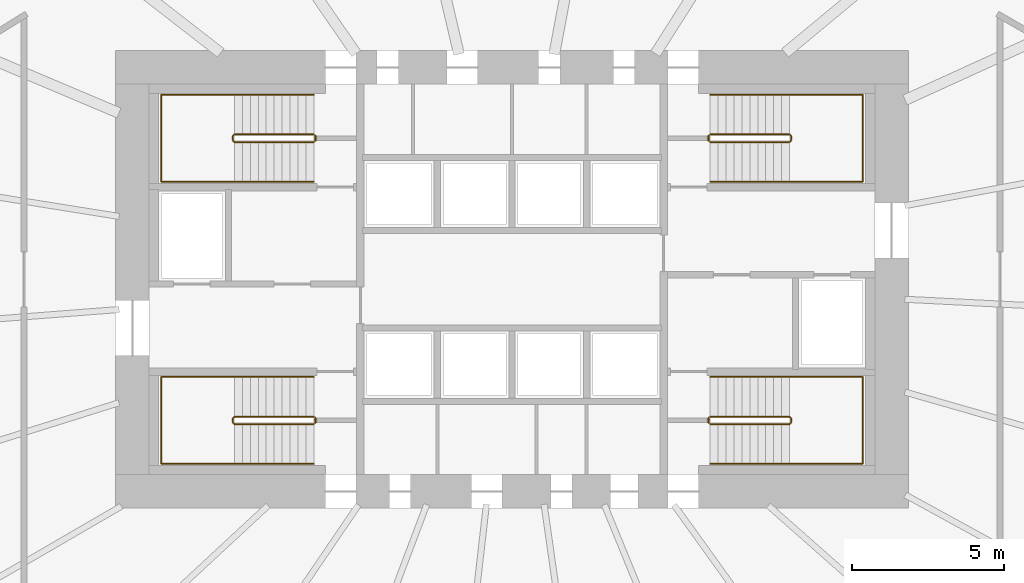
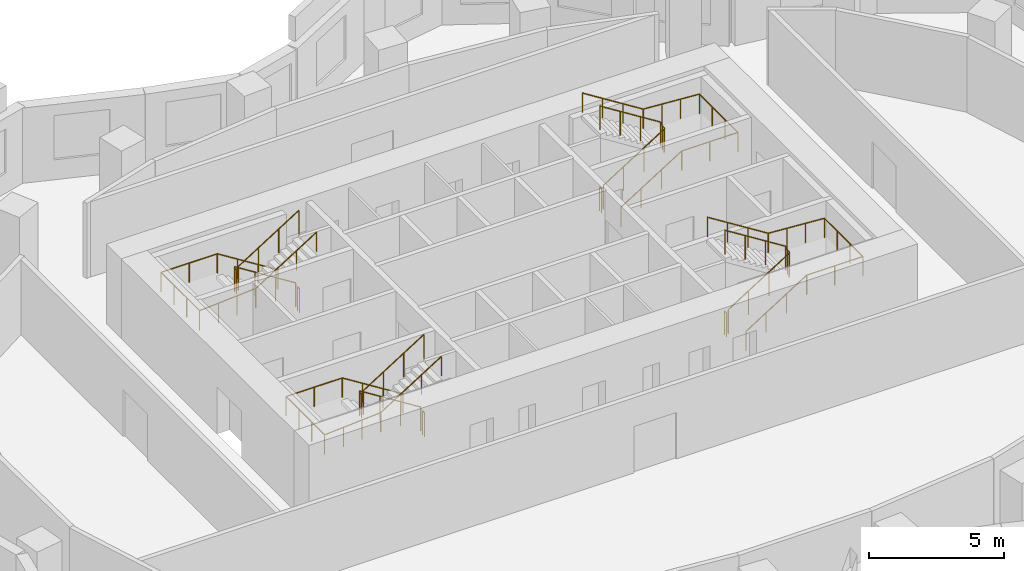
# One storey, part 8 of 8: 12 railings.
"""IFC4 building model written with IfcOpenShell, lengths in metres."""

from ifc_helpers import new_model, si_unit, direction, frame, origin, origin_2d, place, context, subcontext, project, spatial, circle, extrude, material, type_object, element, save


model = new_model("IFC4")

# Units and contexts
model_context = context("Model", 3, precision=1e-05, world=origin(), true_north=direction((0.0, 1.0)))
body_context = subcontext(model_context, "Body", "Model", "MODEL_VIEW")
ifc_project = project(units=[si_unit("LENGTHUNIT", "METRE"), si_unit("AREAUNIT", "SQUARE_METRE"), si_unit("VOLUMEUNIT", "CUBIC_METRE"), si_unit("PLANEANGLEUNIT", "RADIAN"), si_unit("MASSUNIT", "GRAM", prefix="KILO")], contexts=[model_context])

# Site, building, storey
site_placement = place(None, origin())
site = spatial("IfcSite", under=ifc_project, at=site_placement, CompositionType="ELEMENT")
building_placement = place(site_placement, origin())
building = spatial("IfcBuilding", under=site, at=building_placement, Name="Rubra Terraces Tower", CompositionType="ELEMENT")
storey_placement = place(building_placement, frame((0.0, 0.0, 106.800048828125)))
storey = spatial("IfcBuildingStorey", under=building, at=storey_placement, Name="L25", CompositionType="ELEMENT", Elevation=106.800048828125)

# Railings
ifc_material = material(Name="Stainless steel", Category="steel")
railing_type_1 = type_object("IfcRailingType", Name="Core stair guard 1100", PredefinedType="GUARDRAIL", material=ifc_material)
railing_1_placement = place(storey_placement, frame((-6.5, 0.0, 0.16357421875)))
element("IfcRailing", 1, at=railing_1_placement, inside=storey, type_object=railing_type_1, Name="L25 stair S1 guard 1", PredefinedType="GUARDRAIL", context=body_context, shape_type="SweptSolid", body=[
    extrude(circle(Radius=0.02392578125, at=origin_2d()), frame((0.0, 0.0, 1.076171875), z_axis=(-0.846324394277, 0.0, 0.532667832379), x_axis=(0.0, -1.0, 0.0)), (0.0, 0.0, 1.0), 3.072265625),
    extrude(circle(Radius=0.02392578125, at=origin_2d()), frame((-2.60009765625, 0.0, 2.71240234375), z_axis=(-0.705375805398, -0.708833529934, 0.0), x_axis=(0.708833529934, -0.705375805398, 0.0)), (0.0, 0.0, 1.0), 0.070556640625),
    extrude(circle(Radius=0.02392578125, at=origin_2d()), frame((-2.64990234375, -0.050048828125, 2.71240234375), z_axis=(0.0, -1.0, 0.0), x_axis=(1.0, 0.0, 0.0)), (0.0, 0.0, 1.0), 0.14990234375),
    extrude(circle(Radius=0.02392578125, at=origin_2d()), frame((-2.64990234375, -0.199951171875, 2.71240234375), z_axis=(0.279546231943, -0.280916556609, 0.91811752648), x_axis=(0.708833529934, 0.705375805398, 0.0)), (0.0, 0.0, 1.0), 0.17822265625),
    extrude(circle(Radius=0.02392578125, at=origin_2d()), frame((-2.60009765625, -0.25, 2.8759765625), z_axis=(0.846360218416, 0.0, 0.532610909279), x_axis=(0.0, 1.0, 0.0)), (0.0, 0.0, 1.0), 3.072021484375),
    extrude(circle(Radius=0.02099609375, at=origin_2d()), origin(), (0.0, 0.0, 1.0), 1.052001953125),
    extrude(circle(Radius=0.02099609375, at=origin_2d()), frame((-0.86669921875, 0.0, 0.54541015625)), (0.0, 0.0, 1.0), 1.052001953125),
    extrude(circle(Radius=0.02099609375, at=origin_2d()), frame((-1.7333984375, 0.0, 1.091064453125)), (0.0, 0.0, 1.0), 1.052001953125),
    extrude(circle(Radius=0.02099609375, at=origin_2d()), frame((-2.60009765625, 0.0, 1.636474609375)), (0.0, 0.0, 1.0), 1.052001953125),
    extrude(circle(Radius=0.02099609375, at=origin_2d()), frame((-2.64990234375, -0.050048828125, 1.636474609375)), (0.0, 0.0, 1.0), 1.052001953125),
    extrude(circle(Radius=0.02099609375, at=origin_2d()), frame((-2.64990234375, -0.199951171875, 1.636474609375)), (0.0, 0.0, 1.0), 1.052001953125),
    extrude(circle(Radius=0.02099609375, at=origin_2d()), frame((-2.60009765625, -0.25, 1.800048828125)), (0.0, 0.0, 1.0), 1.052001953125),
    extrude(circle(Radius=0.02099609375, at=origin_2d()), frame((-1.7333984375, -0.25, 2.345458984375)), (0.0, 0.0, 1.0), 1.052001953125),
    extrude(circle(Radius=0.02099609375, at=origin_2d()), frame((-0.86669921875, -0.25, 2.890869140625)), (0.0, 0.0, 1.0), 1.052001953125),
    extrude(circle(Radius=0.02099609375, at=origin_2d()), frame((0.0, -0.25, 3.436279296875)), (0.0, 0.0, 1.0), 1.052001953125),
])
railing_2_placement = place(storey_placement, frame((-6.449951171875, -0.050048828125, 0.0)))
element("IfcRailing", 2, at=railing_2_placement, inside=storey, type_object=railing_type_1, Name="L25 stair S1 guard 2", PredefinedType="GUARDRAIL", context=body_context, shape_type="SweptSolid", body=[
    extrude(circle(Radius=0.02392578125, at=origin_2d()), frame((0.0, 0.0, 1.076171875), z_axis=(0.0, -1.0, 0.0), x_axis=(1.0, 0.0, 0.0)), (0.0, 0.0, 1.0), 0.14990234375),
    extrude(circle(Radius=0.02099609375, at=origin_2d()), origin(), (0.0, 0.0, 1.0), 1.052001953125),
    extrude(circle(Radius=0.02099609375, at=origin_2d()), frame((0.0, -0.14990234375, 0.0)), (0.0, 0.0, 1.0), 1.052001953125),
])
railing_3_placement = place(storey_placement, frame((-6.5, 9.25, 0.16357421875)))
element("IfcRailing", 3, at=railing_3_placement, inside=storey, type_object=railing_type_1, Name="L25 stair S2 guard 1", PredefinedType="GUARDRAIL", context=body_context, shape_type="SweptSolid", body=[
    extrude(circle(Radius=0.02392578125, at=origin_2d()), frame((0.0, 0.0, 1.076171875), z_axis=(-0.846324394277, 0.0, 0.532667832379), x_axis=(0.0, -1.0, 0.0)), (0.0, 0.0, 1.0), 3.072265625),
    extrude(circle(Radius=0.02392578125, at=origin_2d()), frame((-2.60009765625, 0.0, 2.71240234375), z_axis=(-0.705375805398, -0.708833529934, 0.0), x_axis=(0.708833529934, -0.705375805398, 0.0)), (0.0, 0.0, 1.0), 0.070556640625),
    extrude(circle(Radius=0.02392578125, at=origin_2d()), frame((-2.64990234375, -0.050048828125, 2.71240234375), z_axis=(0.0, -1.0, 0.0), x_axis=(1.0, 0.0, 0.0)), (0.0, 0.0, 1.0), 0.14990234375),
    extrude(circle(Radius=0.02392578125, at=origin_2d()), frame((-2.64990234375, -0.199951171875, 2.71240234375), z_axis=(0.279546231943, -0.280916556609, 0.91811752648), x_axis=(0.708833529934, 0.705375805398, 0.0)), (0.0, 0.0, 1.0), 0.17822265625),
    extrude(circle(Radius=0.02392578125, at=origin_2d()), frame((-2.60009765625, -0.25, 2.8759765625), z_axis=(0.846360218416, 0.0, 0.532610909279), x_axis=(0.0, 1.0, 0.0)), (0.0, 0.0, 1.0), 3.072021484375),
    extrude(circle(Radius=0.02099609375, at=origin_2d()), origin(), (0.0, 0.0, 1.0), 1.052001953125),
    extrude(circle(Radius=0.02099609375, at=origin_2d()), frame((-0.86669921875, 0.0, 0.54541015625)), (0.0, 0.0, 1.0), 1.052001953125),
    extrude(circle(Radius=0.02099609375, at=origin_2d()), frame((-1.7333984375, 0.0, 1.091064453125)), (0.0, 0.0, 1.0), 1.052001953125),
    extrude(circle(Radius=0.02099609375, at=origin_2d()), frame((-2.60009765625, 0.0, 1.636474609375)), (0.0, 0.0, 1.0), 1.052001953125),
    extrude(circle(Radius=0.02099609375, at=origin_2d()), frame((-2.64990234375, -0.050048828125, 1.636474609375)), (0.0, 0.0, 1.0), 1.052001953125),
    extrude(circle(Radius=0.02099609375, at=origin_2d()), frame((-2.64990234375, -0.199951171875, 1.636474609375)), (0.0, 0.0, 1.0), 1.052001953125),
    extrude(circle(Radius=0.02099609375, at=origin_2d()), frame((-2.60009765625, -0.25, 1.800048828125)), (0.0, 0.0, 1.0), 1.052001953125),
    extrude(circle(Radius=0.02099609375, at=origin_2d()), frame((-1.7333984375, -0.25, 2.345458984375)), (0.0, 0.0, 1.0), 1.052001953125),
    extrude(circle(Radius=0.02099609375, at=origin_2d()), frame((-0.86669921875, -0.25, 2.890869140625)), (0.0, 0.0, 1.0), 1.052001953125),
    extrude(circle(Radius=0.02099609375, at=origin_2d()), frame((0.0, -0.25, 3.436279296875)), (0.0, 0.0, 1.0), 1.052001953125),
])
railing_4_placement = place(storey_placement, frame((-6.449951171875, 9.199951171875, 0.0)))
element("IfcRailing", 4, at=railing_4_placement, inside=storey, type_object=railing_type_1, Name="L25 stair S2 guard 2", PredefinedType="GUARDRAIL", context=body_context, shape_type="SweptSolid", body=[
    extrude(circle(Radius=0.02392578125, at=origin_2d()), frame((0.0, 0.0, 1.076171875), z_axis=(0.0, -1.0, 0.0), x_axis=(1.0, 0.0, 0.0)), (0.0, 0.0, 1.0), 0.14990234375),
    extrude(circle(Radius=0.02099609375, at=origin_2d()), origin(), (0.0, 0.0, 1.0), 1.052001953125),
    extrude(circle(Radius=0.02099609375, at=origin_2d()), frame((0.0, -0.14990234375, 0.0)), (0.0, 0.0, 1.0), 1.052001953125),
])
railing_5_placement = place(storey_placement, frame((6.5, 9.0, 0.16357421875)))
element("IfcRailing", 5, at=railing_5_placement, inside=storey, type_object=railing_type_1, Name="L25 stair S3 guard 1", PredefinedType="GUARDRAIL", context=body_context, shape_type="SweptSolid", body=[
    extrude(circle(Radius=0.02392578125, at=origin_2d()), frame((0.0, 0.0, 1.076171875), z_axis=(0.846324394277, 0.0, 0.532667832379), x_axis=(0.0, 1.0, 0.0)), (0.0, 0.0, 1.0), 3.072265625),
    extrude(circle(Radius=0.02392578125, at=origin_2d()), frame((2.60009765625, 0.0, 2.71240234375), z_axis=(0.705375805398, 0.708833529934, 0.0), x_axis=(-0.708833529934, 0.705375805398, 0.0)), (0.0, 0.0, 1.0), 0.070556640625),
    extrude(circle(Radius=0.02392578125, at=origin_2d()), frame((2.64990234375, 0.050048828125, 2.71240234375), z_axis=(0.0, 1.0, 0.0), x_axis=(-1.0, 0.0, 0.0)), (0.0, 0.0, 1.0), 0.14990234375),
    extrude(circle(Radius=0.02392578125, at=origin_2d()), frame((2.64990234375, 0.199951171875, 2.71240234375), z_axis=(-0.279546231943, 0.280916556609, 0.91811752648), x_axis=(-0.708833529934, -0.705375805398, 0.0)), (0.0, 0.0, 1.0), 0.17822265625),
    extrude(circle(Radius=0.02392578125, at=origin_2d()), frame((2.60009765625, 0.25, 2.8759765625), z_axis=(-0.846360218416, 0.0, 0.532610909279), x_axis=(0.0, -1.0, 0.0)), (0.0, 0.0, 1.0), 3.072021484375),
    extrude(circle(Radius=0.02099609375, at=origin_2d()), origin(), (0.0, 0.0, 1.0), 1.052001953125),
    extrude(circle(Radius=0.02099609375, at=origin_2d()), frame((0.86669921875, 0.0, 0.54541015625)), (0.0, 0.0, 1.0), 1.052001953125),
    extrude(circle(Radius=0.02099609375, at=origin_2d()), frame((1.7333984375, 0.0, 1.091064453125)), (0.0, 0.0, 1.0), 1.052001953125),
    extrude(circle(Radius=0.02099609375, at=origin_2d()), frame((2.60009765625, 0.0, 1.636474609375)), (0.0, 0.0, 1.0), 1.052001953125),
    extrude(circle(Radius=0.02099609375, at=origin_2d()), frame((2.64990234375, 0.050048828125, 1.636474609375)), (0.0, 0.0, 1.0), 1.052001953125),
    extrude(circle(Radius=0.02099609375, at=origin_2d()), frame((2.64990234375, 0.199951171875, 1.636474609375)), (0.0, 0.0, 1.0), 1.052001953125),
    extrude(circle(Radius=0.02099609375, at=origin_2d()), frame((2.60009765625, 0.25, 1.800048828125)), (0.0, 0.0, 1.0), 1.052001953125),
    extrude(circle(Radius=0.02099609375, at=origin_2d()), frame((1.7333984375, 0.25, 2.345458984375)), (0.0, 0.0, 1.0), 1.052001953125),
    extrude(circle(Radius=0.02099609375, at=origin_2d()), frame((0.86669921875, 0.25, 2.890869140625)), (0.0, 0.0, 1.0), 1.052001953125),
    extrude(circle(Radius=0.02099609375, at=origin_2d()), frame((0.0, 0.25, 3.436279296875)), (0.0, 0.0, 1.0), 1.052001953125),
])
railing_6_placement = place(storey_placement, frame((6.449951171875, 9.050048828125, 0.0)))
element("IfcRailing", 6, at=railing_6_placement, inside=storey, type_object=railing_type_1, Name="L25 stair S3 guard 2", PredefinedType="GUARDRAIL", context=body_context, shape_type="SweptSolid", body=[
    extrude(circle(Radius=0.02392578125, at=origin_2d()), frame((0.0, 0.0, 1.076171875), z_axis=(0.0, 1.0, 0.0), x_axis=(-1.0, 0.0, 0.0)), (0.0, 0.0, 1.0), 0.14990234375),
    extrude(circle(Radius=0.02099609375, at=origin_2d()), origin(), (0.0, 0.0, 1.0), 1.052001953125),
    extrude(circle(Radius=0.02099609375, at=origin_2d()), frame((0.0, 0.14990234375, 0.0)), (0.0, 0.0, 1.0), 1.052001953125),
])
railing_7_placement = place(storey_placement, frame((6.5, -0.25, 0.16357421875)))
element("IfcRailing", 7, at=railing_7_placement, inside=storey, type_object=railing_type_1, Name="L25 stair S4 guard 1", PredefinedType="GUARDRAIL", context=body_context, shape_type="SweptSolid", body=[
    extrude(circle(Radius=0.02392578125, at=origin_2d()), frame((0.0, 0.0, 1.076171875), z_axis=(0.846324394277, 0.0, 0.532667832379), x_axis=(0.0, 1.0, 0.0)), (0.0, 0.0, 1.0), 3.072265625),
    extrude(circle(Radius=0.02392578125, at=origin_2d()), frame((2.60009765625, 0.0, 2.71240234375), z_axis=(0.705375805398, 0.708833529934, 0.0), x_axis=(-0.708833529934, 0.705375805398, 0.0)), (0.0, 0.0, 1.0), 0.070556640625),
    extrude(circle(Radius=0.02392578125, at=origin_2d()), frame((2.64990234375, 0.050048828125, 2.71240234375), z_axis=(0.0, 1.0, 0.0), x_axis=(-1.0, 0.0, 0.0)), (0.0, 0.0, 1.0), 0.14990234375),
    extrude(circle(Radius=0.02392578125, at=origin_2d()), frame((2.64990234375, 0.199951171875, 2.71240234375), z_axis=(-0.279546231943, 0.280916556609, 0.91811752648), x_axis=(-0.708833529934, -0.705375805398, 0.0)), (0.0, 0.0, 1.0), 0.17822265625),
    extrude(circle(Radius=0.02392578125, at=origin_2d()), frame((2.60009765625, 0.25, 2.8759765625), z_axis=(-0.846360218416, 0.0, 0.532610909279), x_axis=(0.0, -1.0, 0.0)), (0.0, 0.0, 1.0), 3.072021484375),
    extrude(circle(Radius=0.02099609375, at=origin_2d()), origin(), (0.0, 0.0, 1.0), 1.052001953125),
    extrude(circle(Radius=0.02099609375, at=origin_2d()), frame((0.86669921875, 0.0, 0.54541015625)), (0.0, 0.0, 1.0), 1.052001953125),
    extrude(circle(Radius=0.02099609375, at=origin_2d()), frame((1.7333984375, 0.0, 1.091064453125)), (0.0, 0.0, 1.0), 1.052001953125),
    extrude(circle(Radius=0.02099609375, at=origin_2d()), frame((2.60009765625, 0.0, 1.636474609375)), (0.0, 0.0, 1.0), 1.052001953125),
    extrude(circle(Radius=0.02099609375, at=origin_2d()), frame((2.64990234375, 0.050048828125, 1.636474609375)), (0.0, 0.0, 1.0), 1.052001953125),
    extrude(circle(Radius=0.02099609375, at=origin_2d()), frame((2.64990234375, 0.199951171875, 1.636474609375)), (0.0, 0.0, 1.0), 1.052001953125),
    extrude(circle(Radius=0.02099609375, at=origin_2d()), frame((2.60009765625, 0.25, 1.800048828125)), (0.0, 0.0, 1.0), 1.052001953125),
    extrude(circle(Radius=0.02099609375, at=origin_2d()), frame((1.7333984375, 0.25, 2.345458984375)), (0.0, 0.0, 1.0), 1.052001953125),
    extrude(circle(Radius=0.02099609375, at=origin_2d()), frame((0.86669921875, 0.25, 2.890869140625)), (0.0, 0.0, 1.0), 1.052001953125),
    extrude(circle(Radius=0.02099609375, at=origin_2d()), frame((0.0, 0.25, 3.436279296875)), (0.0, 0.0, 1.0), 1.052001953125),
])
railing_8_placement = place(storey_placement, frame((6.449951171875, -0.199951171875, 0.0)))
element("IfcRailing", 8, at=railing_8_placement, inside=storey, type_object=railing_type_1, Name="L25 stair S4 guard 2", PredefinedType="GUARDRAIL", context=body_context, shape_type="SweptSolid", body=[
    extrude(circle(Radius=0.02392578125, at=origin_2d()), frame((0.0, 0.0, 1.076171875), z_axis=(0.0, 1.0, 0.0), x_axis=(-1.0, 0.0, 0.0)), (0.0, 0.0, 1.0), 0.14990234375),
    extrude(circle(Radius=0.02099609375, at=origin_2d()), origin(), (0.0, 0.0, 1.0), 1.052001953125),
    extrude(circle(Radius=0.02099609375, at=origin_2d()), frame((0.0, 0.14990234375, 0.0)), (0.0, 0.0, 1.0), 1.052001953125),
])
railing_type_2 = type_object("IfcRailingType", Name="Core stair handrail 900", PredefinedType="HANDRAIL", material=ifc_material)
railing_9_placement = place(storey_placement, frame((-6.5, 1.300048828125, 0.16357421875)))
element("IfcRailing", 9, at=railing_9_placement, inside=storey, type_object=railing_type_2, Name="L25 stair S1 handrail 1", PredefinedType="HANDRAIL", context=body_context, shape_type="SweptSolid", body=[
    extrude(circle(Radius=0.02392578125, at=origin_2d()), frame((0.0, 0.0, 0.8759765625), z_axis=(-0.846324394277, 0.0, 0.532667832379), x_axis=(0.0, -1.0, 0.0)), (0.0, 0.0, 1.0), 3.072265625),
    extrude(circle(Radius=0.02392578125, at=origin_2d()), frame((-2.60009765625, 0.0, 2.51220703125), z_axis=(-1.0, 0.0, 0.0), x_axis=(0.0, -1.0, 0.0)), (0.0, 0.0, 1.0), 2.39990234375),
    extrude(circle(Radius=0.02392578125, at=origin_2d()), frame((-5.0, 0.0, 2.51220703125), z_axis=(0.0, -1.0, 0.0), x_axis=(1.0, 0.0, 0.0)), (0.0, 0.0, 1.0), 2.85009765625),
    extrude(circle(Radius=0.02392578125, at=origin_2d()), frame((-5.0, -2.85009765625, 2.51220703125), z_axis=(0.997685257876, 0.0, 0.068000928055), x_axis=(0.0, 1.0, 0.0)), (0.0, 0.0, 1.0), 2.405517578125),
    extrude(circle(Radius=0.02392578125, at=origin_2d()), frame((-2.60009765625, -2.85009765625, 2.67578125), z_axis=(0.846360218416, 0.0, 0.532610909279), x_axis=(0.0, 1.0, 0.0)), (0.0, 0.0, 1.0), 3.072021484375),
    extrude(circle(Radius=0.02099609375, at=origin_2d()), origin(), (0.0, 0.0, 1.0), 0.851806640625),
    extrude(circle(Radius=0.02099609375, at=origin_2d()), frame((-0.86669921875, 0.0, 0.54541015625)), (0.0, 0.0, 1.0), 0.851806640625),
    extrude(circle(Radius=0.02099609375, at=origin_2d()), frame((-1.7333984375, 0.0, 1.091064453125)), (0.0, 0.0, 1.0), 0.851806640625),
    extrude(circle(Radius=0.02099609375, at=origin_2d()), frame((-2.60009765625, 0.0, 1.636474609375)), (0.0, 0.0, 1.0), 0.851806640625),
    extrude(circle(Radius=0.02099609375, at=origin_2d()), frame((-3.800048828125, 0.0, 1.636474609375)), (0.0, 0.0, 1.0), 0.851806640625),
    extrude(circle(Radius=0.02099609375, at=origin_2d()), frame((-5.0, 0.0, 1.636474609375)), (0.0, 0.0, 1.0), 0.851806640625),
    extrude(circle(Radius=0.02099609375, at=origin_2d()), frame((-5.0, -0.949951171875, 1.636474609375)), (0.0, 0.0, 1.0), 0.851806640625),
    extrude(circle(Radius=0.02099609375, at=origin_2d()), frame((-5.0, -1.900146484375, 1.636474609375)), (0.0, 0.0, 1.0), 0.851806640625),
    extrude(circle(Radius=0.02099609375, at=origin_2d()), frame((-5.0, -2.85009765625, 1.636474609375)), (0.0, 0.0, 1.0), 0.851806640625),
    extrude(circle(Radius=0.02099609375, at=origin_2d()), frame((-4.199951171875, -2.85009765625, 1.69091796875)), (0.0, 0.0, 1.0), 0.851806640625),
    extrude(circle(Radius=0.02099609375, at=origin_2d()), frame((-3.400146484375, -2.85009765625, 1.74560546875)), (0.0, 0.0, 1.0), 0.851806640625),
    extrude(circle(Radius=0.02099609375, at=origin_2d()), frame((-2.60009765625, -2.85009765625, 1.800048828125)), (0.0, 0.0, 1.0), 0.851806640625),
    extrude(circle(Radius=0.02099609375, at=origin_2d()), frame((-1.7333984375, -2.85009765625, 2.345458984375)), (0.0, 0.0, 1.0), 0.851806640625),
    extrude(circle(Radius=0.02099609375, at=origin_2d()), frame((-0.86669921875, -2.85009765625, 2.890869140625)), (0.0, 0.0, 1.0), 0.851806640625),
    extrude(circle(Radius=0.02099609375, at=origin_2d()), frame((0.0, -2.85009765625, 3.436279296875)), (0.0, 0.0, 1.0), 0.851806640625),
])
railing_10_placement = place(storey_placement, frame((-6.5, 10.550048828125, 0.16357421875)))
element("IfcRailing", 10, at=railing_10_placement, inside=storey, type_object=railing_type_2, Name="L25 stair S2 handrail 1", PredefinedType="HANDRAIL", context=body_context, shape_type="SweptSolid", body=[
    extrude(circle(Radius=0.02392578125, at=origin_2d()), frame((0.0, 0.0, 0.8759765625), z_axis=(-0.846324394277, 0.0, 0.532667832379), x_axis=(0.0, -1.0, 0.0)), (0.0, 0.0, 1.0), 3.072265625),
    extrude(circle(Radius=0.02392578125, at=origin_2d()), frame((-2.60009765625, 0.0, 2.51220703125), z_axis=(-1.0, 0.0, 0.0), x_axis=(0.0, -1.0, 0.0)), (0.0, 0.0, 1.0), 2.39990234375),
    extrude(circle(Radius=0.02392578125, at=origin_2d()), frame((-5.0, 0.0, 2.51220703125), z_axis=(0.0, -1.0, 0.0), x_axis=(1.0, 0.0, 0.0)), (0.0, 0.0, 1.0), 2.85009765625),
    extrude(circle(Radius=0.02392578125, at=origin_2d()), frame((-5.0, -2.85009765625, 2.51220703125), z_axis=(0.997685257876, 0.0, 0.068000928055), x_axis=(0.0, 1.0, 0.0)), (0.0, 0.0, 1.0), 2.405517578125),
    extrude(circle(Radius=0.02392578125, at=origin_2d()), frame((-2.60009765625, -2.85009765625, 2.67578125), z_axis=(0.846360218416, 0.0, 0.532610909279), x_axis=(0.0, 1.0, 0.0)), (0.0, 0.0, 1.0), 3.072021484375),
    extrude(circle(Radius=0.02099609375, at=origin_2d()), origin(), (0.0, 0.0, 1.0), 0.851806640625),
    extrude(circle(Radius=0.02099609375, at=origin_2d()), frame((-0.86669921875, 0.0, 0.54541015625)), (0.0, 0.0, 1.0), 0.851806640625),
    extrude(circle(Radius=0.02099609375, at=origin_2d()), frame((-1.7333984375, 0.0, 1.091064453125)), (0.0, 0.0, 1.0), 0.851806640625),
    extrude(circle(Radius=0.02099609375, at=origin_2d()), frame((-2.60009765625, 0.0, 1.636474609375)), (0.0, 0.0, 1.0), 0.851806640625),
    extrude(circle(Radius=0.02099609375, at=origin_2d()), frame((-3.800048828125, 0.0, 1.636474609375)), (0.0, 0.0, 1.0), 0.851806640625),
    extrude(circle(Radius=0.02099609375, at=origin_2d()), frame((-5.0, 0.0, 1.636474609375)), (0.0, 0.0, 1.0), 0.851806640625),
    extrude(circle(Radius=0.02099609375, at=origin_2d()), frame((-5.0, -0.949951171875, 1.636474609375)), (0.0, 0.0, 1.0), 0.851806640625),
    extrude(circle(Radius=0.02099609375, at=origin_2d()), frame((-5.0, -1.900146484375, 1.636474609375)), (0.0, 0.0, 1.0), 0.851806640625),
    extrude(circle(Radius=0.02099609375, at=origin_2d()), frame((-5.0, -2.85009765625, 1.636474609375)), (0.0, 0.0, 1.0), 0.851806640625),
    extrude(circle(Radius=0.02099609375, at=origin_2d()), frame((-4.199951171875, -2.85009765625, 1.69091796875)), (0.0, 0.0, 1.0), 0.851806640625),
    extrude(circle(Radius=0.02099609375, at=origin_2d()), frame((-3.400146484375, -2.85009765625, 1.74560546875)), (0.0, 0.0, 1.0), 0.851806640625),
    extrude(circle(Radius=0.02099609375, at=origin_2d()), frame((-2.60009765625, -2.85009765625, 1.800048828125)), (0.0, 0.0, 1.0), 0.851806640625),
    extrude(circle(Radius=0.02099609375, at=origin_2d()), frame((-1.7333984375, -2.85009765625, 2.345458984375)), (0.0, 0.0, 1.0), 0.851806640625),
    extrude(circle(Radius=0.02099609375, at=origin_2d()), frame((-0.86669921875, -2.85009765625, 2.890869140625)), (0.0, 0.0, 1.0), 0.851806640625),
    extrude(circle(Radius=0.02099609375, at=origin_2d()), frame((0.0, -2.85009765625, 3.436279296875)), (0.0, 0.0, 1.0), 0.851806640625),
])
railing_11_placement = place(storey_placement, frame((6.5, 7.699951171875, 0.16357421875)))
element("IfcRailing", 11, at=railing_11_placement, inside=storey, type_object=railing_type_2, Name="L25 stair S3 handrail 1", PredefinedType="HANDRAIL", context=body_context, shape_type="SweptSolid", body=[
    extrude(circle(Radius=0.02392578125, at=origin_2d()), frame((0.0, 0.0, 0.8759765625), z_axis=(0.846324394277, 0.0, 0.532667832379), x_axis=(0.0, 1.0, 0.0)), (0.0, 0.0, 1.0), 3.072265625),
    extrude(circle(Radius=0.02392578125, at=origin_2d()), frame((2.60009765625, 0.0, 2.51220703125), z_axis=(1.0, 0.0, 0.0), x_axis=(0.0, 1.0, 0.0)), (0.0, 0.0, 1.0), 2.39990234375),
    extrude(circle(Radius=0.02392578125, at=origin_2d()), frame((5.0, 0.0, 2.51220703125), z_axis=(0.0, 1.0, 0.0), x_axis=(-1.0, 0.0, 0.0)), (0.0, 0.0, 1.0), 2.85009765625),
    extrude(circle(Radius=0.02392578125, at=origin_2d()), frame((5.0, 2.85009765625, 2.51220703125), z_axis=(-0.997685257876, 0.0, 0.068000928055), x_axis=(0.0, -1.0, 0.0)), (0.0, 0.0, 1.0), 2.405517578125),
    extrude(circle(Radius=0.02392578125, at=origin_2d()), frame((2.60009765625, 2.85009765625, 2.67578125), z_axis=(-0.846360218416, 0.0, 0.532610909279), x_axis=(0.0, -1.0, 0.0)), (0.0, 0.0, 1.0), 3.072021484375),
    extrude(circle(Radius=0.02099609375, at=origin_2d()), origin(), (0.0, 0.0, 1.0), 0.851806640625),
    extrude(circle(Radius=0.02099609375, at=origin_2d()), frame((0.86669921875, 0.0, 0.54541015625)), (0.0, 0.0, 1.0), 0.851806640625),
    extrude(circle(Radius=0.02099609375, at=origin_2d()), frame((1.7333984375, 0.0, 1.091064453125)), (0.0, 0.0, 1.0), 0.851806640625),
    extrude(circle(Radius=0.02099609375, at=origin_2d()), frame((2.60009765625, 0.0, 1.636474609375)), (0.0, 0.0, 1.0), 0.851806640625),
    extrude(circle(Radius=0.02099609375, at=origin_2d()), frame((3.800048828125, 0.0, 1.636474609375)), (0.0, 0.0, 1.0), 0.851806640625),
    extrude(circle(Radius=0.02099609375, at=origin_2d()), frame((5.0, 0.0, 1.636474609375)), (0.0, 0.0, 1.0), 0.851806640625),
    extrude(circle(Radius=0.02099609375, at=origin_2d()), frame((5.0, 0.949951171875, 1.636474609375)), (0.0, 0.0, 1.0), 0.851806640625),
    extrude(circle(Radius=0.02099609375, at=origin_2d()), frame((5.0, 1.900146484375, 1.636474609375)), (0.0, 0.0, 1.0), 0.851806640625),
    extrude(circle(Radius=0.02099609375, at=origin_2d()), frame((5.0, 2.85009765625, 1.636474609375)), (0.0, 0.0, 1.0), 0.851806640625),
    extrude(circle(Radius=0.02099609375, at=origin_2d()), frame((4.199951171875, 2.85009765625, 1.69091796875)), (0.0, 0.0, 1.0), 0.851806640625),
    extrude(circle(Radius=0.02099609375, at=origin_2d()), frame((3.400146484375, 2.85009765625, 1.74560546875)), (0.0, 0.0, 1.0), 0.851806640625),
    extrude(circle(Radius=0.02099609375, at=origin_2d()), frame((2.60009765625, 2.85009765625, 1.800048828125)), (0.0, 0.0, 1.0), 0.851806640625),
    extrude(circle(Radius=0.02099609375, at=origin_2d()), frame((1.7333984375, 2.85009765625, 2.345458984375)), (0.0, 0.0, 1.0), 0.851806640625),
    extrude(circle(Radius=0.02099609375, at=origin_2d()), frame((0.86669921875, 2.85009765625, 2.890869140625)), (0.0, 0.0, 1.0), 0.851806640625),
    extrude(circle(Radius=0.02099609375, at=origin_2d()), frame((0.0, 2.85009765625, 3.436279296875)), (0.0, 0.0, 1.0), 0.851806640625),
])
railing_12_placement = place(storey_placement, frame((6.5, -1.550048828125, 0.16357421875)))
element("IfcRailing", 12, at=railing_12_placement, inside=storey, type_object=railing_type_2, Name="L25 stair S4 handrail 1", PredefinedType="HANDRAIL", context=body_context, shape_type="SweptSolid", body=[
    extrude(circle(Radius=0.02392578125, at=origin_2d()), frame((0.0, 0.0, 0.8759765625), z_axis=(0.846324394277, 0.0, 0.532667832379), x_axis=(0.0, 1.0, 0.0)), (0.0, 0.0, 1.0), 3.072265625),
    extrude(circle(Radius=0.02392578125, at=origin_2d()), frame((2.60009765625, 0.0, 2.51220703125), z_axis=(1.0, 0.0, 0.0), x_axis=(0.0, 1.0, 0.0)), (0.0, 0.0, 1.0), 2.39990234375),
    extrude(circle(Radius=0.02392578125, at=origin_2d()), frame((5.0, 0.0, 2.51220703125), z_axis=(0.0, 1.0, 0.0), x_axis=(-1.0, 0.0, 0.0)), (0.0, 0.0, 1.0), 2.85009765625),
    extrude(circle(Radius=0.02392578125, at=origin_2d()), frame((5.0, 2.85009765625, 2.51220703125), z_axis=(-0.997685257876, 0.0, 0.068000928055), x_axis=(0.0, -1.0, 0.0)), (0.0, 0.0, 1.0), 2.405517578125),
    extrude(circle(Radius=0.02392578125, at=origin_2d()), frame((2.60009765625, 2.85009765625, 2.67578125), z_axis=(-0.846360218416, 0.0, 0.532610909279), x_axis=(0.0, -1.0, 0.0)), (0.0, 0.0, 1.0), 3.072021484375),
    extrude(circle(Radius=0.02099609375, at=origin_2d()), origin(), (0.0, 0.0, 1.0), 0.851806640625),
    extrude(circle(Radius=0.02099609375, at=origin_2d()), frame((0.86669921875, 0.0, 0.54541015625)), (0.0, 0.0, 1.0), 0.851806640625),
    extrude(circle(Radius=0.02099609375, at=origin_2d()), frame((1.7333984375, 0.0, 1.091064453125)), (0.0, 0.0, 1.0), 0.851806640625),
    extrude(circle(Radius=0.02099609375, at=origin_2d()), frame((2.60009765625, 0.0, 1.636474609375)), (0.0, 0.0, 1.0), 0.851806640625),
    extrude(circle(Radius=0.02099609375, at=origin_2d()), frame((3.800048828125, 0.0, 1.636474609375)), (0.0, 0.0, 1.0), 0.851806640625),
    extrude(circle(Radius=0.02099609375, at=origin_2d()), frame((5.0, 0.0, 1.636474609375)), (0.0, 0.0, 1.0), 0.851806640625),
    extrude(circle(Radius=0.02099609375, at=origin_2d()), frame((5.0, 0.949951171875, 1.636474609375)), (0.0, 0.0, 1.0), 0.851806640625),
    extrude(circle(Radius=0.02099609375, at=origin_2d()), frame((5.0, 1.900146484375, 1.636474609375)), (0.0, 0.0, 1.0), 0.851806640625),
    extrude(circle(Radius=0.02099609375, at=origin_2d()), frame((5.0, 2.85009765625, 1.636474609375)), (0.0, 0.0, 1.0), 0.851806640625),
    extrude(circle(Radius=0.02099609375, at=origin_2d()), frame((4.199951171875, 2.85009765625, 1.69091796875)), (0.0, 0.0, 1.0), 0.851806640625),
    extrude(circle(Radius=0.02099609375, at=origin_2d()), frame((3.400146484375, 2.85009765625, 1.74560546875)), (0.0, 0.0, 1.0), 0.851806640625),
    extrude(circle(Radius=0.02099609375, at=origin_2d()), frame((2.60009765625, 2.85009765625, 1.800048828125)), (0.0, 0.0, 1.0), 0.851806640625),
    extrude(circle(Radius=0.02099609375, at=origin_2d()), frame((1.7333984375, 2.85009765625, 2.345458984375)), (0.0, 0.0, 1.0), 0.851806640625),
    extrude(circle(Radius=0.02099609375, at=origin_2d()), frame((0.86669921875, 2.85009765625, 2.890869140625)), (0.0, 0.0, 1.0), 0.851806640625),
    extrude(circle(Radius=0.02099609375, at=origin_2d()), frame((0.0, 2.85009765625, 3.436279296875)), (0.0, 0.0, 1.0), 0.851806640625),
])

save(model, "model.ifc")
